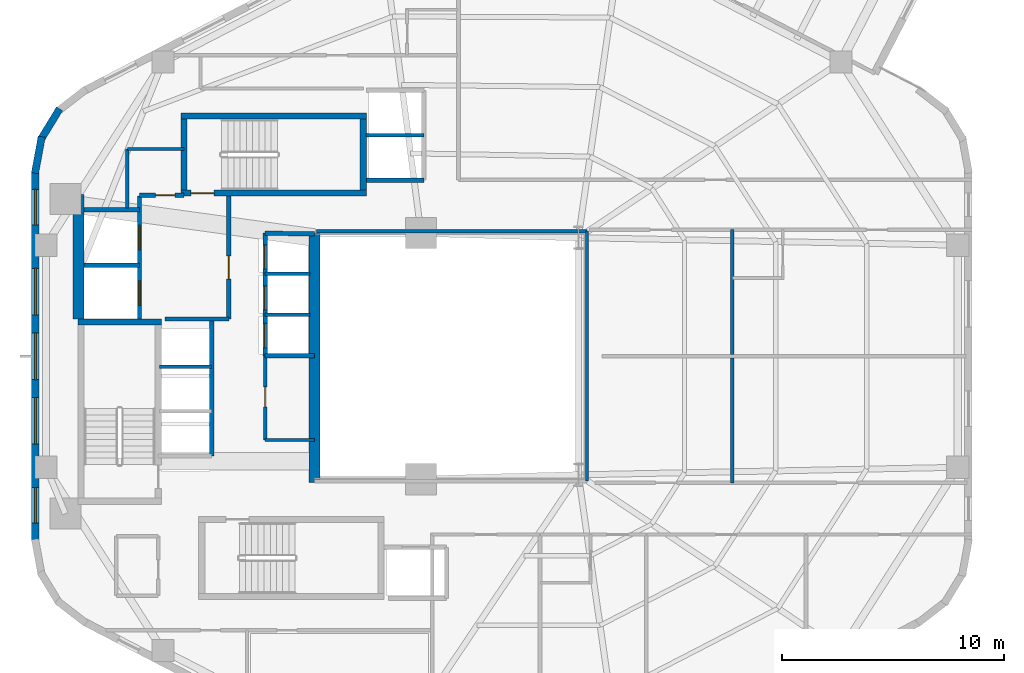
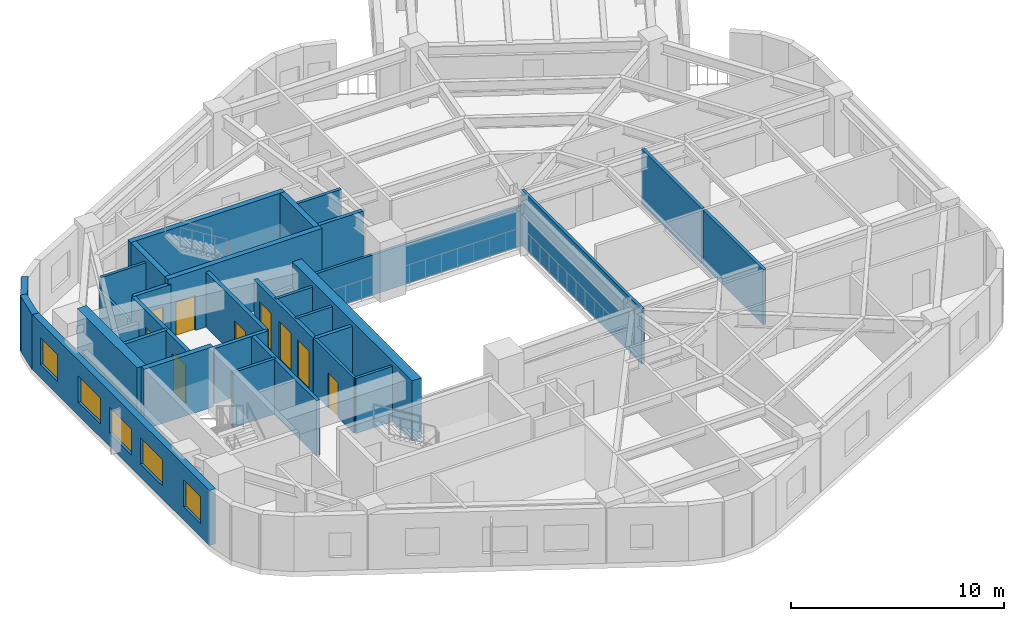
# One storey, part 6 of 10: 33 walls, 9 doors, 5 windows, 14 openings.
"""IFC4 building model written with IfcOpenShell, lengths in metres."""

from ifc_helpers import new_model, si_unit, direction, frame, frame_2d, origin, place, context, subcontext, project, spatial, rectangle, extrude, material, layer, layer_set, type_object, element, fill, save


model = new_model("IFC4")

# Units and contexts
model_context = context("Model", 3, precision=1e-05, world=origin(), true_north=direction((0.0, 1.0)))
body_context = subcontext(model_context, "Body", "Model", "MODEL_VIEW")
ifc_project = project(units=[si_unit("LENGTHUNIT", "METRE"), si_unit("AREAUNIT", "SQUARE_METRE"), si_unit("VOLUMEUNIT", "CUBIC_METRE"), si_unit("PLANEANGLEUNIT", "RADIAN"), si_unit("MASSUNIT", "GRAM", prefix="KILO"), si_unit("THERMODYNAMICTEMPERATUREUNIT", "KELVIN"), si_unit("POWERUNIT", "WATT")], contexts=[model_context])

# Site, building, storey
site_placement = place(None, origin())
site = spatial("IfcSite", under=ifc_project, at=site_placement, CompositionType="ELEMENT")
building_placement = place(site_placement, origin())
building = spatial("IfcBuilding", under=site, at=building_placement, Name="Skarre Station Tower", CompositionType="ELEMENT")
storey_placement = place(building_placement, frame((0.0, 0.0, 115.35009765625)))
storey = spatial("IfcBuildingStorey", under=building, at=storey_placement, Name="L30", CompositionType="ELEMENT", Elevation=115.35009765625)

# Wall, opening, door
ifc_material_1 = material(Name="Acoustic Steel-Stud Gypsum Partition", Category="steel")
ifc_layer_1 = layer(ifc_material_1, 0.14990234375, Name="Acoustic Steel-Stud Gypsum Partition")
ifc_layer_set_1 = layer_set([ifc_layer_1], Name="Acoustic Steel-Stud Gypsum Partition")
wall_type_1 = type_object("IfcWallType", Name="Fire-Rated Corridor Acoustic Partition 150", PredefinedType="PARTITIONING", material=ifc_layer_set_1)
wall_1_placement = place(storey_placement, frame((25.320068359375, 24.02001953125, 0.0), z_axis=(0.0, 0.0, 1.0), x_axis=(0.0, -1.0, 0.0)))
wall_1 = element("IfcWall", 1, at=wall_1_placement, inside=storey, type_object=wall_type_1, Name="L30 Interior Partition WL-PT-L30-RC1-W", PredefinedType="PARTITIONING", context=body_context, shape_type="SweptSolid", body=[
    extrude(rectangle(XDim=3.800048828125, YDim=0.14990234375, at=frame_2d((1.89990234375, 0.0))), origin(), (0.0, 0.0, 1.0), 3.159912109375),
])
opening_1_placement = place(wall_1_placement, frame((1.39990234375, 0.0, 0.0)))
opening_1 = element("IfcOpeningElement", 2, at=opening_1_placement, cuts=wall_1, Name="Opening DR-SVC90", PredefinedType="OPENING", context=body_context, shape_type="SweptSolid", body=[
    extrude(rectangle(XDim=0.89990234375, YDim=2.0, at=frame_2d((0.449951171875, 1.0))), frame((0.0, 0.0849609375, 0.0), z_axis=(0.0, -1.0, 0.0), x_axis=(1.0, 0.0, 0.0)), (0.0, 0.0, 1.0), 0.169921875),
])
ifc_material_2 = material(Name="Powder-Coated Hollow-Metal Acoustic Fire Leaf", Category="steel")
door_type_1 = type_object("IfcDoorType", Name="Service & Riser Fire Door FD60 900x2100", OperationType="SINGLE_SWING_LEFT", PredefinedType="DOOR", material=ifc_material_2)
door_1_placement = place(opening_1_placement, origin())
door_1 = element("IfcDoor", 3, at=door_1_placement, inside=storey, type_object=door_type_1, Name="L30 Housekeeping Room Door", OperationType="SINGLE_SWING_LEFT", OverallHeight=2.0, OverallWidth=0.89990234375, PredefinedType="DOOR", context=body_context, shape_type="SweptSolid", body=[
    extrude(rectangle(XDim=0.89990234375, YDim=2.0, at=frame_2d((0.449951171875, 1.0))), frame((0.0, 0.02490234375, 0.0), z_axis=(0.0, -1.0, 0.0), x_axis=(1.0, 0.0, 0.0)), (0.0, 0.0, 1.0), 0.050048828125),
])
fill(opening_1, door_1)

# Walls
wall_2_placement = place(storey_placement, frame((25.320068359375, 20.219970703125, 0.0), z_axis=(0.0, 0.0, 1.0), x_axis=(1.0, 0.0, 0.0)))
element("IfcWall", 4, at=wall_2_placement, inside=storey, type_object=wall_type_1, Name="L30 Interior Partition WL-PT-L30-RC1-S", PredefinedType="PARTITIONING", context=body_context, shape_type="SweptSolid", body=[
    extrude(rectangle(XDim=2.22998046875, YDim=0.14990234375, at=frame_2d((1.114990234375, 0.0))), origin(), (0.0, 0.0, 1.0), 3.159912109375),
])
wall_3_placement = place(storey_placement, frame((19.10009765625, 33.35009765625, 0.0), z_axis=(0.0, 0.0, 1.0), x_axis=(0.0, -1.0, 0.0)))
element("IfcWall", 5, at=wall_3_placement, inside=storey, type_object=wall_type_1, Name="L30 Interior Partition WL-PT-L30-CNW-W", PredefinedType="PARTITIONING", context=body_context, shape_type="SweptSolid", body=[
    extrude(rectangle(XDim=2.655029296875, YDim=0.14990234375, at=frame_2d((1.32763671875, 0.0))), origin(), (0.0, 0.0, 1.0), 2.389892578125),
])
wall_4_placement = place(storey_placement, frame((21.659912109375, 33.35009765625, 0.0), z_axis=(0.0, 0.0, 1.0), x_axis=(-1.0, 0.0, 0.0)))
element("IfcWall", 6, at=wall_4_placement, inside=storey, type_object=wall_type_1, Name="L30 Interior Partition WL-PT-L30-CNW-N1", PredefinedType="PARTITIONING", context=body_context, shape_type="SweptSolid", body=[
    extrude(rectangle(XDim=2.559814453125, YDim=0.14990234375, at=frame_2d((1.27978515625, 0.0))), origin(), (0.0, 0.0, 1.0), 3.159912109375),
])
wall_5_placement = place(storey_placement, frame((39.840087890625, 29.639892578125, 0.0), z_axis=(0.0, 0.0, 1.0), x_axis=(-1.0, 0.0, 0.0)))
element("IfcWall", 7, at=wall_5_placement, inside=storey, type_object=wall_type_1, Name="L30 Interior Partition WL-PT-L30-ATRW-N", PredefinedType="PARTITIONING", context=body_context, shape_type="SweptSolid", body=[
    extrude(rectangle(XDim=12.2001953125, YDim=0.14990234375, at=frame_2d((6.10009765625, 0.0))), origin(), (0.0, 0.0, 1.0), 2.30078125),
])
wall_6_placement = place(storey_placement, frame((39.840087890625, 18.360107421875, 0.0), z_axis=(0.0, 0.0, 1.0), x_axis=(0.0, 1.0, 0.0)))
element("IfcWall", 8, at=wall_6_placement, inside=storey, type_object=wall_type_1, Name="L30 Interior Partition WL-PT-L30-ATRW-E", PredefinedType="PARTITIONING", context=body_context, shape_type="SweptSolid", body=[
    extrude(rectangle(XDim=11.27978515625, YDim=0.14990234375, at=frame_2d((5.639892578125, 0.0))), origin(), (0.0, 0.0, 1.0), 3.159912109375),
])

# Wall, openings, windows
ifc_material_3 = material(Name="Precast concrete C45/55", Category="concrete")
ifc_layer_2 = layer(ifc_material_3, 0.340087890625, Name="Precast concrete C45/55")
ifc_layer_set_2 = layer_set([ifc_layer_2], Name="Precast concrete C45/55")
wall_type_2 = type_object("IfcWallType", Name="Nordic Honed Precast Facet Wall 340", PredefinedType="STANDARD", material=ifc_layer_set_2)
wall_7_placement = place(storey_placement, frame((14.951904296875, 15.64794921875, 0.0), z_axis=(0.0, 0.0, 1.0), x_axis=(0.0, 1.0, 0.0)))
wall_7 = element("IfcWall", 9, at=wall_7_placement, inside=storey, type_object=wall_type_2, Name="L30 Facet 2 Nordic Precast Masonry Wall", PredefinedType="STANDARD", context=body_context, shape_type="SweptSolid", body=[
    extrude(rectangle(XDim=16.7041015625, YDim=0.340087890625, at=frame_2d((8.35205078125, 0.0))), origin(), (0.0, 0.0, 1.0), 3.159912109375),
])
opening_2_placement = place(wall_7_placement, frame((0.825927734375, 0.0, 0.75)))
opening_2 = element("IfcOpeningElement", 10, at=opening_2_placement, cuts=wall_7, Name="Opening WN-Z2A", PredefinedType="OPENING", context=body_context, shape_type="SweptSolid", body=[
    extrude(rectangle(XDim=1.60009765625, YDim=1.550048828125, at=frame_2d((0.800048828125, 0.77490234375))), frame((0.0, 0.179931640625, 0.0), z_axis=(0.0, -1.0, 0.0), x_axis=(1.0, 0.0, 0.0)), (0.0, 0.0, 1.0), 0.360107421875),
])
opening_3_placement = place(wall_7_placement, frame((4.387939453125, 0.0, 0.75)))
opening_3 = element("IfcOpeningElement", 11, at=opening_3_placement, cuts=wall_7, Name="Opening WN-Z2B", PredefinedType="OPENING", context=body_context, shape_type="SweptSolid", body=[
    extrude(rectangle(XDim=2.10009765625, YDim=1.5, at=frame_2d((1.050048828125, 0.75))), frame((0.0, 0.179931640625, 0.0), z_axis=(0.0, -1.0, 0.0), x_axis=(1.0, 0.0, 0.0)), (0.0, 0.0, 1.0), 0.360107421875),
])
opening_4_placement = place(wall_7_placement, frame((7.302001953125, 0.0, 0.75)))
opening_4 = element("IfcOpeningElement", 12, at=opening_4_placement, cuts=wall_7, Name="Opening WN-Z2B", PredefinedType="OPENING", context=body_context, shape_type="SweptSolid", body=[
    extrude(rectangle(XDim=2.10009765625, YDim=1.5, at=frame_2d((1.050048828125, 0.75))), frame((0.0, 0.179931640625, 0.0), z_axis=(0.0, -1.0, 0.0), x_axis=(1.0, 0.0, 0.0)), (0.0, 0.0, 1.0), 0.360107421875),
])
opening_5_placement = place(wall_7_placement, frame((10.216064453125, 0.0, 0.75)))
opening_5 = element("IfcOpeningElement", 13, at=opening_5_placement, cuts=wall_7, Name="Opening WN-Z2B", PredefinedType="OPENING", context=body_context, shape_type="SweptSolid", body=[
    extrude(rectangle(XDim=2.10009765625, YDim=1.5, at=frame_2d((1.050048828125, 0.75))), frame((0.0, 0.179931640625, 0.0), z_axis=(0.0, -1.0, 0.0), x_axis=(1.0, 0.0, 0.0)), (0.0, 0.0, 1.0), 0.360107421875),
])
opening_6_placement = place(wall_7_placement, frame((14.278076171875, 0.0, 0.75)))
opening_6 = element("IfcOpeningElement", 14, at=opening_6_placement, cuts=wall_7, Name="Opening WN-Z2A", PredefinedType="OPENING", context=body_context, shape_type="SweptSolid", body=[
    extrude(rectangle(XDim=1.60009765625, YDim=1.550048828125, at=frame_2d((0.800048828125, 0.77490234375))), frame((0.0, 0.179931640625, 0.0), z_axis=(0.0, -1.0, 0.0), x_axis=(1.0, 0.0, 0.0)), (0.0, 0.0, 1.0), 0.360107421875),
])
ifc_material_4 = material(Name="Low-Iron Triple Glazing with Bronze Anodized Frame", Category="glass")
window_type_1 = type_object("IfcWindowType", Name="Nordic Residential Tall Window 1600x1550", PartitioningType="SINGLE_PANEL", PredefinedType="WINDOW", material=ifc_material_4)
window_1_placement = place(opening_2_placement, origin())
window_1 = element("IfcWindow", 15, at=window_1_placement, inside=storey, type_object=window_type_1, Name="L30 Facade Window WL-FAC-L30-F2-1", OverallHeight=1.550048828125, OverallWidth=1.60009765625, PartitioningType="SINGLE_PANEL", PredefinedType="WINDOW", context=body_context, shape_type="SweptSolid", body=[
    extrude(rectangle(XDim=1.60009765625, YDim=1.550048828125, at=frame_2d((0.800048828125, 0.77490234375))), frame((0.0, 0.030029296875, 0.0), z_axis=(0.0, -1.0, 0.0), x_axis=(1.0, 0.0, 0.0)), (0.0, 0.0, 1.0), 0.06005859375),
])
fill(opening_2, window_1)
window_2_placement = place(opening_6_placement, origin())
window_2 = element("IfcWindow", 16, at=window_2_placement, inside=storey, type_object=window_type_1, Name="L30 Facade Window WL-FAC-L30-F2-5", OverallHeight=1.550048828125, OverallWidth=1.60009765625, PartitioningType="SINGLE_PANEL", PredefinedType="WINDOW", context=body_context, shape_type="SweptSolid", body=[
    extrude(rectangle(XDim=1.60009765625, YDim=1.550048828125, at=frame_2d((0.800048828125, 0.77490234375))), frame((0.0, 0.030029296875, 0.0), z_axis=(0.0, -1.0, 0.0), x_axis=(1.0, 0.0, 0.0)), (0.0, 0.0, 1.0), 0.06005859375),
])
fill(opening_6, window_2)
window_type_2 = type_object("IfcWindowType", Name="Nordic Residential Twin Window 2100x1500", PartitioningType="SINGLE_PANEL", PredefinedType="WINDOW", material=ifc_material_4)
window_3_placement = place(opening_3_placement, origin())
window_3 = element("IfcWindow", 17, at=window_3_placement, inside=storey, type_object=window_type_2, Name="L30 Facade Window WL-FAC-L30-F2-2", OverallHeight=1.5, OverallWidth=2.10009765625, PartitioningType="SINGLE_PANEL", PredefinedType="WINDOW", context=body_context, shape_type="SweptSolid", body=[
    extrude(rectangle(XDim=2.10009765625, YDim=1.5, at=frame_2d((1.050048828125, 0.75))), frame((0.0, 0.030029296875, 0.0), z_axis=(0.0, -1.0, 0.0), x_axis=(1.0, 0.0, 0.0)), (0.0, 0.0, 1.0), 0.06005859375),
])
fill(opening_3, window_3)
window_4_placement = place(opening_4_placement, origin())
window_4 = element("IfcWindow", 18, at=window_4_placement, inside=storey, type_object=window_type_2, Name="L30 Facade Window WL-FAC-L30-F2-3", OverallHeight=1.5, OverallWidth=2.10009765625, PartitioningType="SINGLE_PANEL", PredefinedType="WINDOW", context=body_context, shape_type="SweptSolid", body=[
    extrude(rectangle(XDim=2.10009765625, YDim=1.5, at=frame_2d((1.050048828125, 0.75))), frame((0.0, 0.030029296875, 0.0), z_axis=(0.0, -1.0, 0.0), x_axis=(1.0, 0.0, 0.0)), (0.0, 0.0, 1.0), 0.06005859375),
])
fill(opening_4, window_4)
window_5_placement = place(opening_5_placement, origin())
window_5 = element("IfcWindow", 19, at=window_5_placement, inside=storey, type_object=window_type_2, Name="L30 Facade Window WL-FAC-L30-F2-4", OverallHeight=1.5, OverallWidth=2.10009765625, PartitioningType="SINGLE_PANEL", PredefinedType="WINDOW", context=body_context, shape_type="SweptSolid", body=[
    extrude(rectangle(XDim=2.10009765625, YDim=1.5, at=frame_2d((1.050048828125, 0.75))), frame((0.0, 0.030029296875, 0.0), z_axis=(0.0, -1.0, 0.0), x_axis=(1.0, 0.0, 0.0)), (0.0, 0.0, 1.0), 0.06005859375),
])
fill(opening_5, window_5)

# Walls
ifc_layer_3 = layer(ifc_material_3, 0.330078125, Name="Precast concrete C45/55")
ifc_layer_set_3 = layer_set([ifc_layer_3], Name="Precast concrete C45/55")
wall_type_3 = type_object("IfcWallType", Name="Nordic Rounded Corner Precast Wall 330", PredefinedType="STANDARD", material=ifc_layer_set_3)
wall_8_placement = place(storey_placement, frame((14.931884765625, 32.258056640625, 0.0), z_axis=(0.0, 0.0, 1.0), x_axis=(0.181984991895, 0.983301308209, 0.0)))
element("IfcWall", 20, at=wall_8_placement, inside=storey, type_object=wall_type_3, Name="L30 Rounded Corner Precast Wall F2-1", PredefinedType="STANDARD", context=body_context, shape_type="SweptSolid", body=[
    extrude(rectangle(XDim=1.677001953125, YDim=0.330078125, at=frame_2d((0.83837890625, 0.0))), origin(), (0.0, 0.0, 1.0), 3.159912109375),
])
wall_9_placement = place(storey_placement, frame((15.169921875, 33.73193359375, 0.0), z_axis=(0.0, 0.0, 1.0), x_axis=(0.520519429557, 0.853849824883, 0.0)))
element("IfcWall", 21, at=wall_9_placement, inside=storey, type_object=wall_type_3, Name="L30 Rounded Corner Precast Wall F2-2", PredefinedType="STANDARD", context=body_context, shape_type="SweptSolid", body=[
    extrude(rectangle(XDim=1.67724609375, YDim=0.330078125, at=frame_2d((0.838623046875, 0.0))), origin(), (0.0, 0.0, 1.0), 3.159912109375),
])
ifc_material_5 = material(Name="Concrete C50/60", Category="concrete")
ifc_layer_4 = layer(ifc_material_5, 0.280029296875, Name="Concrete C50/60")
ifc_layer_set_4 = layer_set([ifc_layer_4], Name="Concrete C50/60")
wall_type_4 = type_object("IfcWallType", Name="RC Core Shear Wall 280", PredefinedType="SHEAR", material=ifc_layer_set_4)
wall_10_placement = place(storey_placement, frame((20.6298828125, 25.5400390625, 0.0), z_axis=(0.0, 0.0, 1.0), x_axis=(-1.0, 0.0, 0.0)))
element("IfcWall", 22, at=wall_10_placement, inside=storey, type_object=wall_type_4, Name="L30 Stair ST-1 North Shear Wall", PredefinedType="SHEAR", context=body_context, shape_type="SweptSolid", body=[
    extrude(rectangle(XDim=3.759765625, YDim=0.280029296875, at=frame_2d((1.8798828125, 0.0))), origin(), (0.0, 0.0, 1.0), 3.449951171875),
])

# Wall, opening, door
wall_11_placement = place(storey_placement, frame((21.52001953125, 31.360107421875, 0.0), z_axis=(0.0, 0.0, 1.0), x_axis=(1.0, 0.0, 0.0)))
wall_11 = element("IfcWall", 23, at=wall_11_placement, inside=storey, type_object=wall_type_4, Name="L30 Stair ST-3 South Shear Wall", PredefinedType="SHEAR", context=body_context, shape_type="SweptSolid", body=[
    extrude(rectangle(XDim=8.35986328125, YDim=0.280029296875, at=frame_2d((4.179931640625, 0.0))), origin(), (0.0, 0.0, 1.0), 3.449951171875),
])
opening_7_placement = place(wall_11_placement, frame((0.449951171875, 0.0, 0.0)))
opening_7 = element("IfcOpeningElement", 24, at=opening_7_placement, cuts=wall_11, Name="Opening DR-FD90", PredefinedType="OPENING", context=body_context, shape_type="SweptSolid", body=[
    extrude(rectangle(XDim=1.050048828125, YDim=2.0, at=frame_2d((0.52490234375, 1.0))), frame((0.0, 0.14990234375, 0.0), z_axis=(0.0, -1.0, 0.0), x_axis=(1.0, 0.0, 0.0)), (0.0, 0.0, 1.0), 0.300048828125),
])
ifc_material_6 = material(Name="Fire-Rated Insulated Steel Frame & Timber Core Leaf", Category="steel")
door_type_2 = type_object("IfcDoorType", Name="Stair & FSAE Lobby Fire Door FD90 1050x2150", OperationType="SINGLE_SWING_RIGHT", PredefinedType="DOOR", material=ifc_material_6)
door_2_placement = place(opening_7_placement, origin())
door_2 = element("IfcDoor", 25, at=door_2_placement, inside=storey, type_object=door_type_2, Name="L30 Stair ST-3 & FSAE Lobby Direct Exit Door", OperationType="SINGLE_SWING_LEFT", OverallHeight=2.0, OverallWidth=1.050048828125, PredefinedType="DOOR", context=body_context, shape_type="SweptSolid", body=[
    extrude(rectangle(XDim=1.050048828125, YDim=2.0, at=frame_2d((0.52490234375, 1.0))), frame((0.0, 0.02490234375, 0.0), z_axis=(0.0, -1.0, 0.0), x_axis=(1.0, 0.0, 0.0)), (0.0, 0.0, 1.0), 0.050048828125),
])
fill(opening_7, door_2)

# Walls
wall_12_placement = place(storey_placement, frame((29.8798828125, 34.840087890625, 0.0), z_axis=(0.0, 0.0, 1.0), x_axis=(-1.0, 0.0, 0.0)))
element("IfcWall", 26, at=wall_12_placement, inside=storey, type_object=wall_type_4, Name="L30 Stair ST-3 North Shear Wall", PredefinedType="SHEAR", context=body_context, shape_type="SweptSolid", body=[
    extrude(rectangle(XDim=8.35986328125, YDim=0.280029296875, at=frame_2d((4.179931640625, 0.0))), origin(), (0.0, 0.0, 1.0), 3.449951171875),
])
for number, where, z_axis, x_axis, name in (
    (27, (21.659912109375, 34.699951171875, 0.0), (0.0, 0.0, 1.0), (0.0, -1.0, 0.0), "L30 Stair ST-3 West Shear Wall"),
    (28, (29.739990234375, 31.5, 0.0), (0.0, 0.0, 1.0), (0.0, 1.0, 0.0), "L30 Stair ST-3 East Shear Wall"),
):
    element("IfcWall", number, at=place(storey_placement, frame(where, z_axis=z_axis, x_axis=x_axis)), inside=storey, type_object=wall_type_4, Name=name, PredefinedType="SHEAR", context=body_context, shape_type="SweptSolid", body=[
        extrude(rectangle(XDim=3.199951171875, YDim=0.280029296875, at=frame_2d((1.60009765625, 0.0))), origin(), (0.0, 0.0, 1.0), 3.449951171875),
    ])
ifc_material_7 = material(Name="Concrete C70/85", Category="concrete")
ifc_layer_5 = layer(ifc_material_7, 0.5, Name="Concrete C70/85")
ifc_layer_set_5 = layer_set([ifc_layer_5], Name="Concrete C70/85")
wall_type_5 = type_object("IfcWallType", Name="RC Core Shear Wall 500", PredefinedType="SHEAR", material=ifc_layer_set_5)
wall_13_placement = place(storey_placement, frame((16.89990234375, 25.679931640625, 0.0), z_axis=(0.0, 0.0, 1.0), x_axis=(0.0, 1.0, 0.0)))
element("IfcWall", 29, at=wall_13_placement, inside=storey, type_object=wall_type_5, Name="L30 Core West-North Shear Wall", PredefinedType="SHEAR", context=body_context, shape_type="SweptSolid", body=[
    extrude(rectangle(XDim=5.6201171875, YDim=0.5, at=frame_2d((2.81005859375, 0.0))), origin(), (0.0, 0.0, 1.0), 3.449951171875),
])
wall_14_placement = place(storey_placement, frame((27.550048828125, 29.550048828125, 0.0), z_axis=(0.0, 0.0, 1.0), x_axis=(0.0, -1.0, 0.0)))
element("IfcWall", 30, at=wall_14_placement, inside=storey, type_object=wall_type_5, Name="L30 Core East Atrium Shear Wall", PredefinedType="SHEAR", context=body_context, shape_type="SweptSolid", body=[
    extrude(rectangle(XDim=11.25, YDim=0.5, at=frame_2d((5.625, 0.0))), origin(), (0.0, 0.0, 1.0), 3.449951171875),
])

# Wall, openings, doors
ifc_material_8 = material(Name="Gypsum Concrete Shaft Assembly C30/37", Category="concrete")
ifc_layer_6 = layer(ifc_material_8, 0.199951171875, Name="Gypsum Concrete Shaft Assembly C30/37")
ifc_layer_set_6 = layer_set([ifc_layer_6], Name="Gypsum Concrete Shaft Assembly C30/37")
wall_type_6 = type_object("IfcWallType", Name="Shaft & Core Fire Partition 200", PredefinedType="PARTITIONING", material=ifc_layer_set_6)
wall_15_placement = place(storey_placement, frame((19.64990234375, 25.679931640625, 0.0), z_axis=(0.0, 0.0, 1.0), x_axis=(0.0, 1.0, 0.0)))
wall_15 = element("IfcWall", 31, at=wall_15_placement, inside=storey, type_object=wall_type_6, Name="L30 Interior Partition WL-PT-L30-FSAE-W", PredefinedType="PARTITIONING", context=body_context, shape_type="SweptSolid", body=[
    extrude(rectangle(XDim=5.5400390625, YDim=0.199951171875, at=frame_2d((2.77001953125, 0.0))), origin(), (0.0, 0.0, 1.0), 3.159912109375),
])
opening_8_placement = place(wall_15_placement, frame((0.6201171875, 0.0, 0.0)))
opening_8 = element("IfcOpeningElement", 32, at=opening_8_placement, cuts=wall_15, Name="Opening LD-FF1", PredefinedType="OPENING", context=body_context, shape_type="SweptSolid", body=[
    extrude(rectangle(XDim=1.10009765625, YDim=2.199951171875, at=frame_2d((0.550048828125, 1.10009765625))), frame((0.0, 0.10986328125, 0.0), z_axis=(0.0, -1.0, 0.0), x_axis=(1.0, 0.0, 0.0)), (0.0, 0.0, 1.0), 0.219970703125),
])
opening_9_placement = place(wall_15_placement, frame((3.1201171875, 0.0, 0.0)))
opening_9 = element("IfcOpeningElement", 33, at=opening_9_placement, cuts=wall_15, Name="Opening LD-FF2", PredefinedType="OPENING", context=body_context, shape_type="SweptSolid", body=[
    extrude(rectangle(XDim=1.10009765625, YDim=2.199951171875, at=frame_2d((0.550048828125, 1.10009765625))), frame((0.0, 0.10986328125, 0.0), z_axis=(0.0, -1.0, 0.0), x_axis=(1.0, 0.0, 0.0)), (0.0, 0.0, 1.0), 0.219970703125),
])
ifc_material_9 = material(Name="Fire-Rated Stainless Steel Grade 316L Sliding Leaves", Category="steel")
door_type_3 = type_object("IfcDoorType", Name="Fire Service Access Elevator Sliding Landing Door 1100x2200", OperationType="SLIDING_TO_LEFT", PredefinedType="DOOR", material=ifc_material_9)
door_3_placement = place(opening_8_placement, origin())
door_3 = element("IfcDoor", 34, at=door_3_placement, inside=storey, type_object=door_type_3, Name="L30 Firefighting Lift LF-FF1 Landing Door", OperationType="SLIDING_TO_LEFT", OverallHeight=2.199951171875, OverallWidth=1.10009765625, PredefinedType="DOOR", context=body_context, shape_type="SweptSolid", body=[
    extrude(rectangle(XDim=1.10009765625, YDim=2.199951171875, at=frame_2d((0.550048828125, 1.10009765625))), frame((0.0, 0.02490234375, 0.0), z_axis=(0.0, -1.0, 0.0), x_axis=(1.0, 0.0, 0.0)), (0.0, 0.0, 1.0), 0.050048828125),
])
fill(opening_8, door_3)
door_4_placement = place(opening_9_placement, origin())
door_4 = element("IfcDoor", 35, at=door_4_placement, inside=storey, type_object=door_type_3, Name="L30 Firefighting Lift LF-FF2 Landing Door", OperationType="SLIDING_TO_LEFT", OverallHeight=2.199951171875, OverallWidth=1.10009765625, PredefinedType="DOOR", context=body_context, shape_type="SweptSolid", body=[
    extrude(rectangle(XDim=1.10009765625, YDim=2.199951171875, at=frame_2d((0.550048828125, 1.10009765625))), frame((0.0, 0.02490234375, 0.0), z_axis=(0.0, -1.0, 0.0), x_axis=(1.0, 0.0, 0.0)), (0.0, 0.0, 1.0), 0.050048828125),
])
fill(opening_9, door_4)

# Wall
wall_16_placement = place(storey_placement, frame((20.79296875, 25.679931640625, 0.0), z_axis=(0.0, 0.0, 1.0), x_axis=(1.0, 0.0, 0.0)))
element("IfcWall", 36, at=wall_16_placement, inside=storey, type_object=wall_type_6, Name="L30 Interior Partition WL-PT-L30-FSAE-S", PredefinedType="PARTITIONING", context=body_context, shape_type="SweptSolid", body=[
    extrude(rectangle(XDim=2.886962890625, YDim=0.199951171875, at=frame_2d((1.443359375, 0.0))), origin(), (0.0, 0.0, 1.0), 3.159912109375),
])

# Wall, opening, door
wall_17_placement = place(storey_placement, frame((23.679931640625, 25.679931640625, 0.0), z_axis=(0.0, 0.0, 1.0), x_axis=(0.0, 1.0, 0.0)))
wall_17 = element("IfcWall", 37, at=wall_17_placement, inside=storey, type_object=wall_type_6, Name="L30 Interior Partition WL-PT-L30-FSAE-E", PredefinedType="PARTITIONING", context=body_context, shape_type="SweptSolid", body=[
    extrude(rectangle(XDim=5.5400390625, YDim=0.199951171875, at=frame_2d((2.77001953125, 0.0))), origin(), (0.0, 0.0, 1.0), 3.159912109375),
])
opening_10_placement = place(wall_17_placement, frame((1.800048828125, 0.0, 0.0)))
opening_10 = element("IfcOpeningElement", 38, at=opening_10_placement, cuts=wall_17, Name="Opening DR-FD90", PredefinedType="OPENING", context=body_context, shape_type="SweptSolid", body=[
    extrude(rectangle(XDim=1.050048828125, YDim=2.0, at=frame_2d((0.52490234375, 1.0))), frame((0.0, 0.10986328125, 0.0), z_axis=(0.0, -1.0, 0.0), x_axis=(1.0, 0.0, 0.0)), (0.0, 0.0, 1.0), 0.219970703125),
])
door_5_placement = place(opening_10_placement, origin())
door_5 = element("IfcDoor", 39, at=door_5_placement, inside=storey, type_object=door_type_2, Name="L30 FSAE Lobby Fire Door", OperationType="SINGLE_SWING_RIGHT", OverallHeight=2.0, OverallWidth=1.050048828125, PredefinedType="DOOR", context=body_context, shape_type="SweptSolid", body=[
    extrude(rectangle(XDim=1.050048828125, YDim=2.0, at=frame_2d((0.52490234375, 1.0))), frame((0.0, 0.02490234375, 0.0), z_axis=(0.0, -1.0, 0.0), x_axis=(1.0, 0.0, 0.0)), (0.0, 0.0, 1.0), 0.050048828125),
])
fill(opening_10, door_5)

wall_18_placement = place(storey_placement, frame((21.659912109375, 31.260009765625, 0.0), z_axis=(0.0, 0.0, 1.0), x_axis=(-1.0, 0.0, 0.0)))
wall_18 = element("IfcWall", 40, at=wall_18_placement, inside=storey, type_object=wall_type_6, Name="L30 Interior Partition WL-PT-L30-FSAE-N", PredefinedType="PARTITIONING", context=body_context, shape_type="SweptSolid", body=[
    extrude(rectangle(XDim=2.010009765625, YDim=0.199951171875, at=frame_2d((1.0048828125, 0.0))), origin(), (0.0, 0.0, 1.0), 3.159912109375),
])
opening_11_placement = place(wall_18_placement, frame((0.419921875, 0.0, 0.0)))
opening_11 = element("IfcOpeningElement", 41, at=opening_11_placement, cuts=wall_18, Name="Opening DR-SVC86", PredefinedType="OPENING", context=body_context, shape_type="SweptSolid", body=[
    extrude(rectangle(XDim=0.860107421875, YDim=2.0, at=frame_2d((0.43017578125, 1.0))), frame((0.0, 0.10986328125, 0.0), z_axis=(0.0, -1.0, 0.0), x_axis=(1.0, 0.0, 0.0)), (0.0, 0.0, 1.0), 0.219970703125),
])
door_type_4 = type_object("IfcDoorType", Name="Compact Riser Fire Door FD60 860x2100", OperationType="SINGLE_SWING_LEFT", PredefinedType="DOOR", material=ifc_material_2)
door_6_placement = place(opening_11_placement, origin())
door_6 = element("IfcDoor", 42, at=door_6_placement, inside=storey, type_object=door_type_4, Name="L30 Core Service Room Lobby Door", OperationType="SINGLE_SWING_LEFT", OverallHeight=2.0, OverallWidth=0.860107421875, PredefinedType="DOOR", context=body_context, shape_type="SweptSolid", body=[
    extrude(rectangle(XDim=0.860107421875, YDim=2.0, at=frame_2d((0.43017578125, 1.0))), frame((0.0, 0.02490234375, 0.0), z_axis=(0.0, -1.0, 0.0), x_axis=(1.0, 0.0, 0.0)), (0.0, 0.0, 1.0), 0.050048828125),
])
fill(opening_11, door_6)

# Walls
wall_19_placement = place(storey_placement, frame((17.14990234375, 28.10009765625, 0.0), z_axis=(0.0, 0.0, 1.0), x_axis=(1.0, 0.0, 0.0)))
element("IfcWall", 43, at=wall_19_placement, inside=storey, type_object=wall_type_6, Name="L30 Interior Partition WL-PT-L30-FF-DIV", PredefinedType="PARTITIONING", context=body_context, shape_type="SweptSolid", body=[
    extrude(rectangle(XDim=2.5, YDim=0.199951171875, at=frame_2d((1.25, 0.0))), origin(), (0.0, 0.0, 1.0), 3.159912109375),
])
wall_20_placement = place(storey_placement, frame((19.64990234375, 30.60009765625, 0.0), z_axis=(0.0, 0.0, 1.0), x_axis=(-1.0, 0.0, 0.0)))
element("IfcWall", 44, at=wall_20_placement, inside=storey, type_object=wall_type_6, Name="L30 Interior Partition WL-PT-L30-FF-N", PredefinedType="PARTITIONING", context=body_context, shape_type="SweptSolid", body=[
    extrude(rectangle(XDim=2.5, YDim=0.199951171875, at=frame_2d((1.25, 0.0))), origin(), (0.0, 0.0, 1.0), 2.059814453125),
])
wall_21_placement = place(storey_placement, frame((32.47998046875, 31.949951171875, 0.0), z_axis=(0.0, 0.0, 1.0), x_axis=(-1.0, 0.0, 0.0)))
element("IfcWall", 45, at=wall_21_placement, inside=storey, type_object=wall_type_6, Name="L30 Interior Partition WL-PT-L30-EX-S", PredefinedType="PARTITIONING", context=body_context, shape_type="SweptSolid", body=[
    extrude(rectangle(XDim=2.60009765625, YDim=0.199951171875, at=frame_2d((1.300048828125, 0.0))), origin(), (0.0, 0.0, 1.0), 3.159912109375),
])
wall_22_placement = place(storey_placement, frame((29.875, 33.97998046875, 0.0), z_axis=(0.0, 0.0, 1.0), x_axis=(1.0, 0.0, 0.0)))
element("IfcWall", 46, at=wall_22_placement, inside=storey, type_object=wall_type_6, Name="L30 Interior Partition WL-PT-L30-EX-DIV", PredefinedType="PARTITIONING", context=body_context, shape_type="SweptSolid", body=[
    extrude(rectangle(XDim=2.60498046875, YDim=0.159912109375, at=frame_2d((1.302490234375, 0.0))), origin(), (0.0, 0.0, 1.0), 3.159912109375),
])
wall_23_placement = place(storey_placement, frame((22.89990234375, 19.5, 0.0), z_axis=(0.0, 0.0, 1.0), x_axis=(0.0, 1.0, 0.0)))
element("IfcWall", 47, at=wall_23_placement, inside=storey, type_object=wall_type_6, Name="L30 Interior Partition WL-PT-L30-B3-E", PredefinedType="PARTITIONING", context=body_context, shape_type="SweptSolid", body=[
    extrude(rectangle(XDim=6.0849609375, YDim=0.199951171875, at=frame_2d((3.04248046875, 0.0))), origin(), (0.0, 0.0, 1.0), 3.159912109375),
])
wall_24_placement = place(storey_placement, frame((20.550048828125, 23.52001953125, 0.0), z_axis=(0.0, 0.0, 1.0), x_axis=(1.0, 0.0, 0.0)))
element("IfcWall", 48, at=wall_24_placement, inside=storey, type_object=wall_type_6, Name="L30 Interior Partition WL-PT-L30-B3-D2", PredefinedType="PARTITIONING", context=body_context, shape_type="SweptSolid", body=[
    extrude(rectangle(XDim=2.349853515625, YDim=0.159912109375, at=frame_2d((1.1748046875, 0.0))), origin(), (0.0, 0.0, 1.0), 3.159912109375),
])

# Wall, openings, doors
wall_25_placement = place(storey_placement, frame((25.320068359375, 29.550048828125, 0.0), z_axis=(0.0, 0.0, 1.0), x_axis=(0.0, -1.0, 0.0)))
wall_25 = element("IfcWall", 49, at=wall_25_placement, inside=storey, type_object=wall_type_6, Name="L30 Interior Partition WL-PT-L30-B2-W", PredefinedType="PARTITIONING", context=body_context, shape_type="SweptSolid", body=[
    extrude(rectangle(XDim=5.530029296875, YDim=0.199951171875, at=frame_2d((2.76513671875, 0.0))), origin(), (0.0, 0.0, 1.0), 3.159912109375),
])
opening_12_placement = place(wall_25_placement, frame((0.52001953125, 0.0, 0.0)))
opening_12 = element("IfcOpeningElement", 50, at=opening_12_placement, cuts=wall_25, Name="Opening LD-P6", PredefinedType="OPENING", context=body_context, shape_type="SweptSolid", body=[
    extrude(rectangle(XDim=1.10009765625, YDim=2.199951171875, at=frame_2d((0.550048828125, 1.10009765625))), frame((0.0, 0.10986328125, 0.0), z_axis=(0.0, -1.0, 0.0), x_axis=(1.0, 0.0, 0.0)), (0.0, 0.0, 1.0), 0.219970703125),
])
opening_13_placement = place(wall_25_placement, frame((2.3701171875, 0.0, 0.0)))
opening_13 = element("IfcOpeningElement", 51, at=opening_13_placement, cuts=wall_25, Name="Opening LD-P5", PredefinedType="OPENING", context=body_context, shape_type="SweptSolid", body=[
    extrude(rectangle(XDim=1.10009765625, YDim=2.199951171875, at=frame_2d((0.550048828125, 1.10009765625))), frame((0.0, 0.10986328125, 0.0), z_axis=(0.0, -1.0, 0.0), x_axis=(1.0, 0.0, 0.0)), (0.0, 0.0, 1.0), 0.219970703125),
])
opening_14_placement = place(wall_25_placement, frame((4.070068359375, 0.0, 0.0)))
opening_14 = element("IfcOpeningElement", 52, at=opening_14_placement, cuts=wall_25, Name="Opening LD-P4", PredefinedType="OPENING", context=body_context, shape_type="SweptSolid", body=[
    extrude(rectangle(XDim=1.10009765625, YDim=2.199951171875, at=frame_2d((0.550048828125, 1.10009765625))), frame((0.0, 0.10986328125, 0.0), z_axis=(0.0, -1.0, 0.0), x_axis=(1.0, 0.0, 0.0)), (0.0, 0.0, 1.0), 0.219970703125),
])
ifc_material_10 = material(Name="Brushed Bronze Stainless Steel Sliding Leaves", Category="steel")
door_type_5 = type_object("IfcDoorType", Name="Passenger Elevator Center-Parting Sliding Door 1100x2200", OperationType="SLIDING_TO_LEFT", PredefinedType="DOOR", material=ifc_material_10)
door_7_placement = place(opening_12_placement, origin())
door_7 = element("IfcDoor", 53, at=door_7_placement, inside=storey, type_object=door_type_5, Name="L30 Passenger Lift LF-P6 Landing Door", OperationType="SLIDING_TO_LEFT", OverallHeight=2.199951171875, OverallWidth=1.10009765625, PredefinedType="DOOR", context=body_context, shape_type="SweptSolid", body=[
    extrude(rectangle(XDim=1.10009765625, YDim=2.199951171875, at=frame_2d((0.550048828125, 1.10009765625))), frame((0.0, 0.02490234375, 0.0), z_axis=(0.0, -1.0, 0.0), x_axis=(1.0, 0.0, 0.0)), (0.0, 0.0, 1.0), 0.050048828125),
])
fill(opening_12, door_7)
door_8_placement = place(opening_13_placement, origin())
door_8 = element("IfcDoor", 54, at=door_8_placement, inside=storey, type_object=door_type_5, Name="L30 Passenger Lift LF-P5 Landing Door", OperationType="SLIDING_TO_LEFT", OverallHeight=2.199951171875, OverallWidth=1.10009765625, PredefinedType="DOOR", context=body_context, shape_type="SweptSolid", body=[
    extrude(rectangle(XDim=1.10009765625, YDim=2.199951171875, at=frame_2d((0.550048828125, 1.10009765625))), frame((0.0, 0.02490234375, 0.0), z_axis=(0.0, -1.0, 0.0), x_axis=(1.0, 0.0, 0.0)), (0.0, 0.0, 1.0), 0.050048828125),
])
fill(opening_13, door_8)
door_9_placement = place(opening_14_placement, origin())
door_9 = element("IfcDoor", 55, at=door_9_placement, inside=storey, type_object=door_type_5, Name="L30 Passenger Lift LF-P4 Landing Door", OperationType="SLIDING_TO_LEFT", OverallHeight=2.199951171875, OverallWidth=1.10009765625, PredefinedType="DOOR", context=body_context, shape_type="SweptSolid", body=[
    extrude(rectangle(XDim=1.10009765625, YDim=2.199951171875, at=frame_2d((0.550048828125, 1.10009765625))), frame((0.0, 0.02490234375, 0.0), z_axis=(0.0, -1.0, 0.0), x_axis=(1.0, 0.0, 0.0)), (0.0, 0.0, 1.0), 0.050048828125),
])
fill(opening_14, door_9)

# Walls
wall_26_placement = place(storey_placement, frame((27.550048828125, 29.52001953125, 0.0), z_axis=(0.0, 0.0, 1.0), x_axis=(-0.999909343457, 0.013464949556, 0.0)))
element("IfcWall", 56, at=wall_26_placement, inside=storey, type_object=wall_type_6, Name="L30 Interior Partition WL-PT-L30-B2-N", PredefinedType="PARTITIONING", context=body_context, shape_type="SweptSolid", body=[
    extrude(rectangle(XDim=2.230224609375, YDim=0.199951171875, at=frame_2d((1.115234375, 0.0))), origin(), (0.0, 0.0, 1.0), 2.059814453125),
])
wall_27_placement = place(storey_placement, frame((25.320068359375, 24.02001953125, 0.0), z_axis=(0.0, 0.0, 1.0), x_axis=(1.0, 0.0, 0.0)))
element("IfcWall", 57, at=wall_27_placement, inside=storey, type_object=wall_type_6, Name="L30 Interior Partition WL-PT-L30-B2-S", PredefinedType="PARTITIONING", context=body_context, shape_type="SweptSolid", body=[
    extrude(rectangle(XDim=2.22998046875, YDim=0.199951171875, at=frame_2d((1.114990234375, 0.0))), origin(), (0.0, 0.0, 1.0), 3.159912109375),
])
for number, where, z_axis, x_axis, name in (
    (58, (25.320068359375, 25.8701171875, 0.0), (0.0, 0.0, 1.0), (1.0, 0.0, 0.0), "L30 Interior Partition WL-PT-L30-B2-D258"),
    (59, (25.320068359375, 27.719970703125, 0.0), (0.0, 0.0, 1.0), (1.0, 0.0, 0.0), "L30 Interior Partition WL-PT-L30-B2-D277"),
):
    element("IfcWall", number, at=place(storey_placement, frame(where, z_axis=z_axis, x_axis=x_axis)), inside=storey, type_object=wall_type_6, Name=name, PredefinedType="PARTITIONING", context=body_context, shape_type="SweptSolid", body=[
        extrude(rectangle(XDim=2.030029296875, YDim=0.159912109375, at=frame_2d((1.01513671875, 0.0))), origin(), (0.0, 0.0, 1.0), 3.159912109375),
    ])
ifc_layer_7 = layer(ifc_material_1, 0.1650390625, Name="Acoustic Steel-Stud Gypsum Partition")
ifc_layer_set_7 = layer_set([ifc_layer_7], Name="Acoustic Steel-Stud Gypsum Partition")
wall_type_7 = type_object("IfcWallType", Name="Suite Demising Acoustic Partition 165", PredefinedType="PARTITIONING", material=ifc_layer_set_7)
for number, where, z_axis, x_axis, name in (
    (60, (46.39794921875, 24.070068359375, 0.0), (0.0, 0.0, 1.0), (0.0, 1.0, 0.0), "L30 Interior Partition WL-PT-L30-EWN-P1"),
    (61, (46.39794921875, 18.2900390625, 0.0), (0.0, 0.0, 1.0), (0.0, 1.0, 0.0), "L30 Interior Partition WL-PT-L30-EWS-P1"),
):
    element("IfcWall", number, at=place(storey_placement, frame(where, z_axis=z_axis, x_axis=x_axis)), inside=storey, type_object=wall_type_7, Name=name, PredefinedType="PARTITIONING", context=body_context, shape_type="SweptSolid", body=[
        extrude(rectangle(XDim=5.639892578125, YDim=0.1650390625, at=frame_2d((2.81982421875, 0.0))), origin(), (0.0, 0.0, 1.0), 3.159912109375),
    ])

save(model, "model.ifc")
